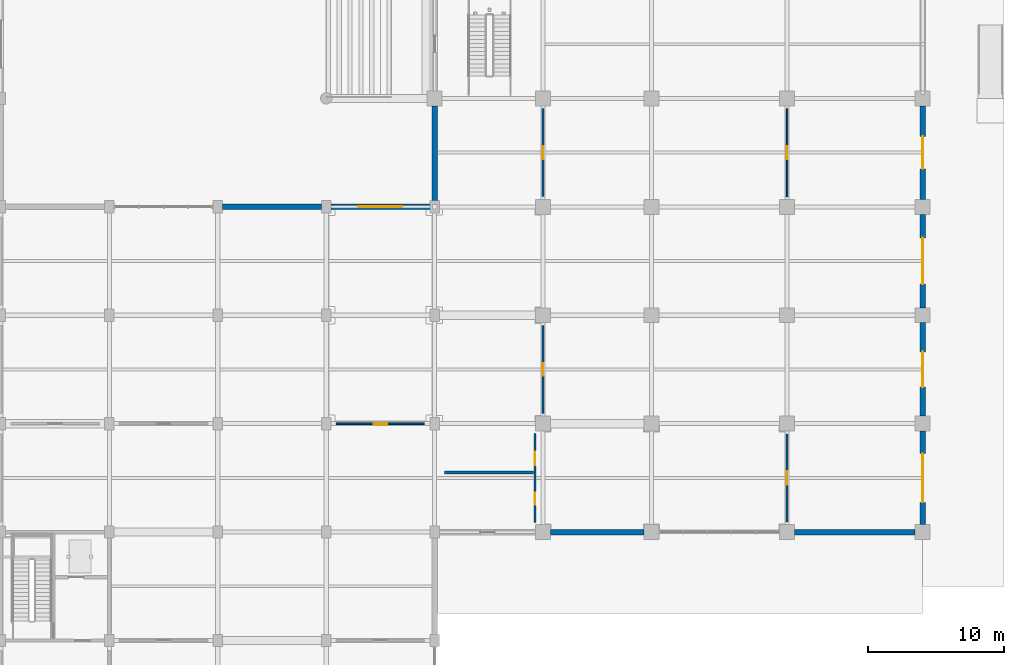
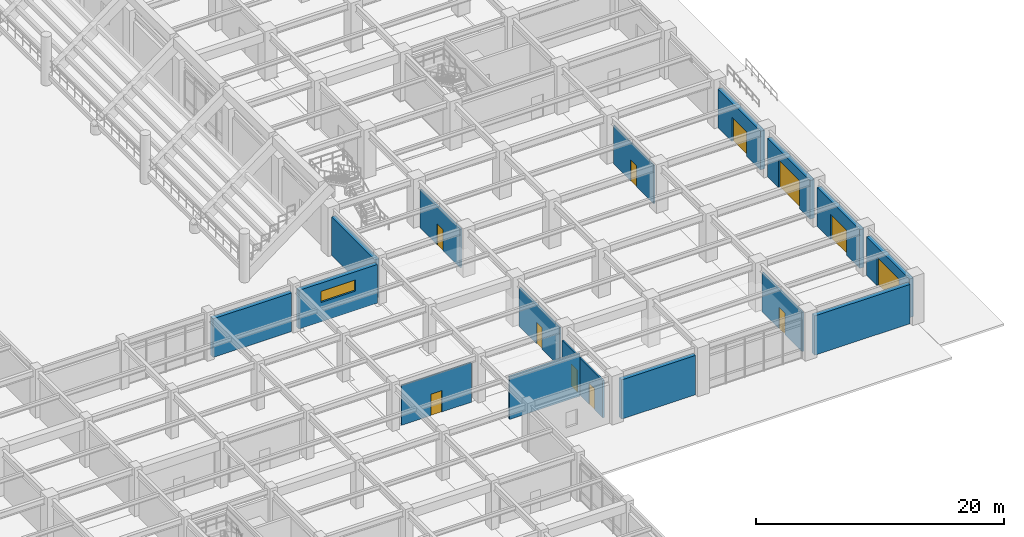
# One storey, part 83 of 125: 16 walls, 11 doors, 1 window, 12 openings.
"""IFC4 building model written with IfcOpenShell, lengths in metres."""

from ifc_helpers import new_model, si_unit, direction, frame, frame_2d, origin, place, context, subcontext, project, spatial, rectangle, extrude, material, layer, layer_set, type_object, element, fill, save


model = new_model("IFC4")

# Units and contexts
model_context = context("Model", 3, precision=1e-05, world=origin(), true_north=direction((0.0, 1.0)))
body_context = subcontext(model_context, "Body", "Model", "MODEL_VIEW")
ifc_project = project(units=[si_unit("LENGTHUNIT", "METRE"), si_unit("AREAUNIT", "SQUARE_METRE"), si_unit("VOLUMEUNIT", "CUBIC_METRE"), si_unit("PLANEANGLEUNIT", "RADIAN"), si_unit("MASSUNIT", "GRAM", prefix="KILO")], contexts=[model_context])

# Site, building, storey
site_placement = place(None, origin())
site = spatial("IfcSite", under=ifc_project, at=site_placement, CompositionType="ELEMENT")
building_placement = place(site_placement, origin())
building = spatial("IfcBuilding", under=site, at=building_placement, Name="Haebicheon Civic Stadium", CompositionType="ELEMENT")
storey_placement = place(building_placement, origin())
storey = spatial("IfcBuildingStorey", under=building, at=storey_placement, Name="L01", CompositionType="ELEMENT", Elevation=0.0)

# Wall
ifc_material_1 = material(Name="Concrete C40/50", Category="concrete")
ifc_layer_1 = layer(ifc_material_1, 0.39990234375, Name="Concrete C40/50")
ifc_layer_set_1 = layer_set([ifc_layer_1], Name="Concrete C40/50")
wall_type_1 = type_object("IfcWallType", Name="EW-BM-400", PredefinedType="SOLIDWALL", material=ifc_layer_set_1)
wall_1_placement = place(storey_placement, frame((184.35009765625, 48.0, 0.0), z_axis=(0.0, 0.0, 1.0), x_axis=(1.0, 0.0, 0.0)))
element("IfcWall", 1, at=wall_1_placement, inside=storey, type_object=wall_type_1, material=ifc_layer_set_1, Name="L01 board-marked concrete facade wall 23-06-N", PredefinedType="SOLIDWALL", context=body_context, shape_type="SweptSolid", body=[
    extrude(rectangle(XDim=7.2998046875, YDim=0.39990234375, at=frame_2d((3.64990234375, 0.0))), origin(), (0.0, 0.0, 1.0), 3.81005859375),
])

# Wall, opening, window
wall_2_placement = place(storey_placement, frame((192.35009765625, 48.0, 0.0), z_axis=(0.0, 0.0, 1.0), x_axis=(1.0, 0.0, 0.0)))
wall_2 = element("IfcWall", 2, at=wall_2_placement, inside=storey, type_object=wall_type_1, material=ifc_layer_set_1, Name="L01 board-marked concrete facade wall 24-06-N", PredefinedType="SOLIDWALL", context=body_context, shape_type="SweptSolid", body=[
    extrude(rectangle(XDim=7.2998046875, YDim=0.39990234375, at=frame_2d((3.64990234375, 0.0))), origin(), (0.0, 0.0, 1.0), 3.81005859375),
])
opening_1_placement = place(wall_2_placement, frame((2.050048828125, 0.0, 1.89990234375)))
opening_1 = element("IfcOpeningElement", 3, at=opening_1_placement, cuts=wall_2, Name="Opening WIN-320x110", PredefinedType="OPENING", context=body_context, shape_type="SweptSolid", body=[
    extrude(rectangle(XDim=3.199951171875, YDim=1.10009765625, at=frame_2d((1.60009765625, 0.550048828125))), frame((0.0, 0.2099609375, 0.0), z_axis=(0.0, -1.0, 0.0), x_axis=(1.0, 0.0, 0.0)), (0.0, 0.0, 1.0), 0.419921875),
])
ifc_material_2 = material(Name="Anodised aluminium and laminated glass", Category="aluminium")
window_type = type_object("IfcWindowType", Name="WIN-320x110", PartitioningType="SINGLE_PANEL", PredefinedType="LIGHTDOME", material=ifc_material_2)
window_placement = place(opening_1_placement, origin())
window = element("IfcWindow", 4, at=window_placement, inside=storey, type_object=window_type, material=ifc_material_2, Name="L01 facade window 022", OverallHeight=1.10009765625, OverallWidth=3.199951171875, PartitioningType="SINGLE_PANEL", PredefinedType="LIGHTDOME", context=body_context, shape_type="SweptSolid", body=[
    extrude(rectangle(XDim=3.199951171875, YDim=1.10009765625, at=frame_2d((1.60009765625, 0.550048828125))), frame((0.0, 0.030029296875, 0.0), z_axis=(0.0, -1.0, 0.0), x_axis=(1.0, 0.0, 0.0)), (0.0, 0.0, 1.0), 0.06005859375),
])
fill(opening_1, window)

# Walls
wall_3_placement = place(storey_placement, frame((200.0, 48.449951171875, 0.0), z_axis=(0.0, 0.0, 1.0), x_axis=(0.0, 1.0, 0.0)))
element("IfcWall", 5, at=wall_3_placement, inside=storey, type_object=wall_type_1, material=ifc_layer_set_1, Name="L01 board-marked concrete facade wall 25-06-W", PredefinedType="SOLIDWALL", context=body_context, shape_type="SweptSolid", body=[
    extrude(rectangle(XDim=7.0, YDim=0.39990234375, at=frame_2d((3.5, 0.0))), origin(), (0.0, 0.0, 1.0), 3.81005859375),
])
wall_4_placement = place(storey_placement, frame((208.550048828125, 24.0, 0.0), z_axis=(0.0, 0.0, 1.0), x_axis=(1.0, 0.0, 0.0)))
element("IfcWall", 6, at=wall_4_placement, inside=storey, type_object=wall_type_1, material=ifc_layer_set_1, Name="L01 board-marked concrete facade wall 26-03-S", PredefinedType="SOLIDWALL", context=body_context, shape_type="SweptSolid", body=[
    extrude(rectangle(XDim=6.89990234375, YDim=0.39990234375, at=frame_2d((3.449951171875, 0.0))), origin(), (0.0, 0.0, 1.0), 3.8701171875),
])
wall_5_placement = place(storey_placement, frame((226.550048828125, 24.0, 0.0), z_axis=(0.0, 0.0, 1.0), x_axis=(1.0, 0.0, 0.0)))
element("IfcWall", 7, at=wall_5_placement, inside=storey, type_object=wall_type_1, material=ifc_layer_set_1, Name="L01 board-marked concrete facade wall 28-03-S", PredefinedType="SOLIDWALL", context=body_context, shape_type="SweptSolid", body=[
    extrude(rectangle(XDim=8.89990234375, YDim=0.39990234375, at=frame_2d((4.449951171875, 0.0))), origin(), (0.0, 0.0, 1.0), 3.8701171875),
])

# Wall, opening, door
wall_6_placement = place(storey_placement, frame((236.0, 24.550048828125, 0.0), z_axis=(0.0, 0.0, 1.0), x_axis=(0.0, 1.0, 0.0)))
wall_6 = element("IfcWall", 8, at=wall_6_placement, inside=storey, type_object=wall_type_1, material=ifc_layer_set_1, Name="L01 board-marked concrete facade wall 29-03-E", PredefinedType="SOLIDWALL", context=body_context, shape_type="SweptSolid", body=[
    extrude(rectangle(XDim=6.89990234375, YDim=0.39990234375, at=frame_2d((3.449951171875, 0.0))), origin(), (0.0, 0.0, 1.0), 3.81005859375),
])
opening_2_placement = place(wall_6_placement, frame((1.64990234375, 0.0, 0.0)))
opening_2 = element("IfcOpeningElement", 9, at=opening_2_placement, cuts=wall_6, Name="Opening E12", PredefinedType="OPENING", context=body_context, shape_type="SweptSolid", body=[
    extrude(rectangle(XDim=3.60009765625, YDim=2.800048828125, at=frame_2d((1.800048828125, 1.39990234375))), frame((0.0, 0.2099609375, 0.0), z_axis=(0.0, -1.0, 0.0), x_axis=(1.0, 0.0, 0.0)), (0.0, 0.0, 1.0), 0.419921875),
])
ifc_material_3 = material(Name="Anodised aluminium and laminated glass", Category="aluminium")
door_type_1 = type_object("IfcDoorType", Name="ED-MAIN-3600", OperationType="NOTDEFINED", PredefinedType="DOOR", material=ifc_material_3)
door_1_placement = place(opening_2_placement, origin())
door_1 = element("IfcDoor", 10, at=door_1_placement, inside=storey, type_object=door_type_1, material=ifc_material_3, Name="Main entrance E12", OperationType="DOUBLE_SWING_LEFT", OverallHeight=2.800048828125, OverallWidth=3.60009765625, PredefinedType="DOOR", context=body_context, shape_type="SweptSolid", body=[
    extrude(rectangle(XDim=3.60009765625, YDim=2.800048828125, at=frame_2d((1.800048828125, 1.39990234375))), frame((0.0, 0.02490234375, 0.0), z_axis=(0.0, -1.0, 0.0), x_axis=(1.0, 0.0, 0.0)), (0.0, 0.0, 1.0), 0.050048828125),
])
fill(opening_2, door_1)

wall_7_placement = place(storey_placement, frame((236.0, 32.550048828125, 0.0), z_axis=(0.0, 0.0, 1.0), x_axis=(0.0, 1.0, 0.0)))
wall_7 = element("IfcWall", 11, at=wall_7_placement, inside=storey, type_object=wall_type_1, material=ifc_layer_set_1, Name="L01 board-marked concrete facade wall 29-04-E", PredefinedType="SOLIDWALL", context=body_context, shape_type="SweptSolid", body=[
    extrude(rectangle(XDim=6.89990234375, YDim=0.39990234375, at=frame_2d((3.449951171875, 0.0))), origin(), (0.0, 0.0, 1.0), 3.81005859375),
])
opening_3_placement = place(wall_7_placement, frame((2.14990234375, 0.0, 0.0)))
opening_3 = element("IfcOpeningElement", 12, at=opening_3_placement, cuts=wall_7, Name="Opening G13", PredefinedType="OPENING", context=body_context, shape_type="SweptSolid", body=[
    extrude(rectangle(XDim=2.60009765625, YDim=2.5, at=frame_2d((1.300048828125, 1.25))), frame((0.0, 0.2099609375, 0.0), z_axis=(0.0, -1.0, 0.0), x_axis=(1.0, 0.0, 0.0)), (0.0, 0.0, 1.0), 0.419921875),
])
ifc_material_4 = material(Name="Anodised aluminium 6063-T6", Category="aluminium")
door_type_2 = type_object("IfcDoorType", Name="ED-GATE-2600", OperationType="NOTDEFINED", PredefinedType="DOOR", material=ifc_material_4)
door_2_placement = place(opening_3_placement, origin())
door_2 = element("IfcDoor", 13, at=door_2_placement, inside=storey, type_object=door_type_2, material=ifc_material_4, Name="Pedestrian exit gate G13", OperationType="DOUBLE_SWING_LEFT", OverallHeight=2.5, OverallWidth=2.60009765625, PredefinedType="DOOR", context=body_context, shape_type="SweptSolid", body=[
    extrude(rectangle(XDim=2.60009765625, YDim=2.5, at=frame_2d((1.300048828125, 1.25))), frame((0.0, 0.02490234375, 0.0), z_axis=(0.0, -1.0, 0.0), x_axis=(1.0, 0.0, 0.0)), (0.0, 0.0, 1.0), 0.050048828125),
])
fill(opening_3, door_2)

wall_8_placement = place(storey_placement, frame((236.0, 40.550048828125, 0.0), z_axis=(0.0, 0.0, 1.0), x_axis=(0.0, 1.0, 0.0)))
wall_8 = element("IfcWall", 14, at=wall_8_placement, inside=storey, type_object=wall_type_1, material=ifc_layer_set_1, Name="L01 board-marked concrete facade wall 29-05-E", PredefinedType="SOLIDWALL", context=body_context, shape_type="SweptSolid", body=[
    extrude(rectangle(XDim=6.89990234375, YDim=0.39990234375, at=frame_2d((3.449951171875, 0.0))), origin(), (0.0, 0.0, 1.0), 3.81005859375),
])
opening_4_placement = place(wall_8_placement, frame((1.75, 0.0, 0.0)))
opening_4 = element("IfcOpeningElement", 15, at=opening_4_placement, cuts=wall_8, Name="Opening E13", PredefinedType="OPENING", context=body_context, shape_type="SweptSolid", body=[
    extrude(rectangle(XDim=3.39990234375, YDim=2.75, at=frame_2d((1.699951171875, 1.375))), frame((0.0, 0.2099609375, 0.0), z_axis=(0.0, -1.0, 0.0), x_axis=(1.0, 0.0, 0.0)), (0.0, 0.0, 1.0), 0.419921875),
])
ifc_material_5 = material(Name="Anodised aluminium and laminated glass", Category="aluminium")
door_type_3 = type_object("IfcDoorType", Name="ED-MAIN-3400", OperationType="NOTDEFINED", PredefinedType="DOOR", material=ifc_material_5)
door_3_placement = place(opening_4_placement, origin())
door_3 = element("IfcDoor", 16, at=door_3_placement, inside=storey, type_object=door_type_3, material=ifc_material_5, Name="Main entrance E13", OperationType="DOUBLE_SWING_LEFT", OverallHeight=2.75, OverallWidth=3.39990234375, PredefinedType="DOOR", context=body_context, shape_type="SweptSolid", body=[
    extrude(rectangle(XDim=3.39990234375, YDim=2.75, at=frame_2d((1.699951171875, 1.375))), frame((0.0, 0.02490234375, 0.0), z_axis=(0.0, -1.0, 0.0), x_axis=(1.0, 0.0, 0.0)), (0.0, 0.0, 1.0), 0.050048828125),
])
fill(opening_4, door_3)

wall_9_placement = place(storey_placement, frame((236.0, 48.550048828125, 0.0), z_axis=(0.0, 0.0, 1.0), x_axis=(0.0, 1.0, 0.0)))
wall_9 = element("IfcWall", 17, at=wall_9_placement, inside=storey, type_object=wall_type_1, material=ifc_layer_set_1, Name="L01 board-marked concrete facade wall 29-06-E", PredefinedType="SOLIDWALL", context=body_context, shape_type="SweptSolid", body=[
    extrude(rectangle(XDim=6.89990234375, YDim=0.39990234375, at=frame_2d((3.449951171875, 0.0))), origin(), (0.0, 0.0, 1.0), 3.81005859375),
])
opening_5_placement = place(wall_9_placement, frame((2.25, 0.0, 0.0)))
opening_5 = element("IfcOpeningElement", 18, at=opening_5_placement, cuts=wall_9, Name="Opening G14", PredefinedType="OPENING", context=body_context, shape_type="SweptSolid", body=[
    extrude(rectangle(XDim=2.39990234375, YDim=2.39990234375, at=frame_2d((1.199951171875, 1.199951171875))), frame((0.0, 0.2099609375, 0.0), z_axis=(0.0, -1.0, 0.0), x_axis=(1.0, 0.0, 0.0)), (0.0, 0.0, 1.0), 0.419921875),
])
ifc_material_6 = material(Name="Anodised aluminium 6063-T6", Category="aluminium")
door_type_4 = type_object("IfcDoorType", Name="ED-GATE-2400", OperationType="NOTDEFINED", PredefinedType="DOOR", material=ifc_material_6)
door_4_placement = place(opening_5_placement, origin())
door_4 = element("IfcDoor", 19, at=door_4_placement, inside=storey, type_object=door_type_4, material=ifc_material_6, Name="Pedestrian exit gate G14", OperationType="DOUBLE_SWING_LEFT", OverallHeight=2.39990234375, OverallWidth=2.39990234375, PredefinedType="DOOR", context=body_context, shape_type="SweptSolid", body=[
    extrude(rectangle(XDim=2.39990234375, YDim=2.39990234375, at=frame_2d((1.199951171875, 1.199951171875))), frame((0.0, 0.02490234375, 0.0), z_axis=(0.0, -1.0, 0.0), x_axis=(1.0, 0.0, 0.0)), (0.0, 0.0, 1.0), 0.050048828125),
])
fill(opening_5, door_4)

# Wall
ifc_material_7 = material(Name="Concrete C35/45", Category="concrete")
ifc_layer_2 = layer(ifc_material_7, 0.219970703125, Name="Concrete C35/45")
ifc_layer_set_2 = layer_set([ifc_layer_2], Name="Concrete C35/45")
wall_type_2 = type_object("IfcWallType", Name="IW-PLB-220", PredefinedType="PLUMBINGWALL", material=ifc_layer_set_2)
wall_10_placement = place(storey_placement, frame((200.719970703125, 28.39990234375, 0.0), z_axis=(0.0, 0.0, 1.0), x_axis=(1.0, 0.0, 0.0)))
element("IfcWall", 20, at=wall_10_placement, inside=storey, type_object=wall_type_2, material=ifc_layer_set_2, Name="L01 sanitary plumbing chase wall 06", PredefinedType="PLUMBINGWALL", context=body_context, shape_type="SweptSolid", body=[
    extrude(rectangle(XDim=6.56005859375, YDim=0.219970703125, at=frame_2d((3.280029296875, 0.0))), origin(), (0.0, 0.0, 1.0), 4.169921875),
])

# Wall, opening, door
ifc_material_8 = material(Name="Anodised aluminium and laminated glass", Category="aluminium")
ifc_layer_3 = layer(ifc_material_8, 0.10009765625, Name="Anodised aluminium and laminated glass")
ifc_layer_set_3 = layer_set([ifc_layer_3], Name="Anodised aluminium and laminated glass")
wall_type_3 = type_object("IfcWallType", Name="IW-PRT-100", PredefinedType="PARTITIONING", material=ifc_layer_set_3)
wall_11_placement = place(storey_placement, frame((226.0, 48.75, 0.0), z_axis=(0.0, 0.0, 1.0), x_axis=(0.0, 1.0, 0.0)))
wall_11 = element("IfcWall", 21, at=wall_11_placement, inside=storey, type_object=wall_type_3, material=ifc_layer_set_3, Name="L01 Community Athletics Reception partition wall", PredefinedType="PARTITIONING", context=body_context, shape_type="SweptSolid", body=[
    extrude(rectangle(XDim=6.5, YDim=0.10009765625, at=frame_2d((3.25, 0.0))), origin(), (0.0, 0.0, 1.0), 3.81005859375),
])
opening_6_placement = place(wall_11_placement, frame((2.77490234375, 0.0, 0.0)))
opening_6 = element("IfcOpeningElement", 22, at=opening_6_placement, cuts=wall_11, Name="Opening D-L01-149", PredefinedType="OPENING", context=body_context, shape_type="SweptSolid", body=[
    extrude(rectangle(XDim=0.949951171875, YDim=2.10009765625, at=frame_2d((0.47509765625, 1.050048828125))), frame((0.0, 0.06005859375, 0.0), z_axis=(0.0, -1.0, 0.0), x_axis=(1.0, 0.0, 0.0)), (0.0, 0.0, 1.0), 0.1201171875),
])
ifc_material_9 = material(Name="Engineered hardwood timber", Category="wood")
door_type_5 = type_object("IfcDoorType", Name="ID-RM-0950", OperationType="NOTDEFINED", PredefinedType="DOOR", material=ifc_material_9)
door_5_placement = place(opening_6_placement, origin())
door_5 = element("IfcDoor", 23, at=door_5_placement, inside=storey, type_object=door_type_5, material=ifc_material_9, Name="L01 Community Athletics Reception entrance door D-L01-149", OperationType="SINGLE_SWING_RIGHT", OverallHeight=2.10009765625, OverallWidth=0.949951171875, PredefinedType="DOOR", context=body_context, shape_type="SweptSolid", body=[
    extrude(rectangle(XDim=0.949951171875, YDim=2.10009765625, at=frame_2d((0.47509765625, 1.050048828125))), frame((0.0, 0.02490234375, 0.0), z_axis=(0.0, -1.0, 0.0), x_axis=(1.0, 0.0, 0.0)), (0.0, 0.0, 1.0), 0.050048828125),
])
fill(opening_6, door_5)

ifc_material_10 = material(Name="Gypsum plasterboard on steel studs", Category="gypsum")
ifc_layer_4 = layer(ifc_material_10, 0.1298828125, Name="Gypsum plasterboard on steel studs")
ifc_layer_set_4 = layer_set([ifc_layer_4], Name="Gypsum plasterboard on steel studs")
wall_type_4 = type_object("IfcWallType", Name="IW-PRT-130", PredefinedType="PARTITIONING", material=ifc_layer_set_4)
wall_12_placement = place(storey_placement, frame((192.75, 32.0, 0.0), z_axis=(0.0, 0.0, 1.0), x_axis=(1.0, 0.0, 0.0)))
wall_12 = element("IfcWall", 24, at=wall_12_placement, inside=storey, type_object=wall_type_4, material=ifc_layer_set_4, Name="L01 Civic Sports Exhibition Gallery partition wall", PredefinedType="PARTITIONING", context=body_context, shape_type="SweptSolid", body=[
    extrude(rectangle(XDim=6.5, YDim=0.1298828125, at=frame_2d((3.25, 0.0))), origin(), (0.0, 0.0, 1.0), 3.909912109375),
])
opening_7_placement = place(wall_12_placement, frame((2.75, 0.0, 0.0)))
opening_7 = element("IfcOpeningElement", 25, at=opening_7_placement, cuts=wall_12, Name="Opening D-L01-164", PredefinedType="OPENING", context=body_context, shape_type="SweptSolid", body=[
    extrude(rectangle(XDim=1.0, YDim=2.10009765625, at=frame_2d((0.5, 1.050048828125))), frame((0.0, 0.074951171875, 0.0), z_axis=(0.0, -1.0, 0.0), x_axis=(1.0, 0.0, 0.0)), (0.0, 0.0, 1.0), 0.14990234375),
])
ifc_material_11 = material(Name="Engineered hardwood timber", Category="wood")
door_type_6 = type_object("IfcDoorType", Name="ID-RM-1000", OperationType="NOTDEFINED", PredefinedType="DOOR", material=ifc_material_11)
door_6_placement = place(opening_7_placement, origin())
door_6 = element("IfcDoor", 26, at=door_6_placement, inside=storey, type_object=door_type_6, material=ifc_material_11, Name="L01 Civic Sports Exhibition Gallery entrance door D-L01-164", OperationType="SINGLE_SWING_LEFT", OverallHeight=2.10009765625, OverallWidth=1.0, PredefinedType="DOOR", context=body_context, shape_type="SweptSolid", body=[
    extrude(rectangle(XDim=1.0, YDim=2.10009765625, at=frame_2d((0.5, 1.050048828125))), frame((0.0, 0.02490234375, 0.0), z_axis=(0.0, -1.0, 0.0), x_axis=(1.0, 0.0, 0.0)), (0.0, 0.0, 1.0), 0.050048828125),
])
fill(opening_7, door_6)

# Wall, openings, doors
ifc_material_12 = material(Name="Gypsum plasterboard on steel studs", Category="gypsum")
ifc_layer_5 = layer(ifc_material_12, 0.14990234375, Name="Gypsum plasterboard on steel studs")
ifc_layer_set_5 = layer_set([ifc_layer_5], Name="Gypsum plasterboard on steel studs")
wall_type_5 = type_object("IfcWallType", Name="IW-PRT-150", PredefinedType="PARTITIONING", material=ifc_layer_set_5)
wall_13_placement = place(storey_placement, frame((207.39990234375, 24.719970703125, 0.0), z_axis=(0.0, 0.0, 1.0), x_axis=(0.0, 1.0, 0.0)))
wall_13 = element("IfcWall", 27, at=wall_13_placement, inside=storey, type_object=wall_type_5, material=ifc_layer_set_5, Name="L01 sanitary enclosure front wall 06", PredefinedType="PARTITIONING", context=body_context, shape_type="SweptSolid", body=[
    extrude(rectangle(XDim=6.56005859375, YDim=0.14990234375, at=frame_2d((3.280029296875, 0.0))), origin(), (0.0, 0.0, 1.0), 3.659912109375),
])
opening_8_placement = place(wall_13_placement, frame((1.300048828125, 0.0, 0.0)))
opening_8 = element("IfcOpeningElement", 28, at=opening_8_placement, cuts=wall_13, Name="Opening D-L01-WC-06A", PredefinedType="OPENING", context=body_context, shape_type="SweptSolid", body=[
    extrude(rectangle(XDim=0.89990234375, YDim=2.10009765625, at=frame_2d((0.449951171875, 1.050048828125))), frame((0.0, 0.0849609375, 0.0), z_axis=(0.0, -1.0, 0.0), x_axis=(1.0, 0.0, 0.0)), (0.0, 0.0, 1.0), 0.169921875),
])
opening_9_placement = place(wall_13_placement, frame((4.199951171875, 0.0, 0.0)))
opening_9 = element("IfcOpeningElement", 29, at=opening_9_placement, cuts=wall_13, Name="Opening D-L01-AWC-06B", PredefinedType="OPENING", context=body_context, shape_type="SweptSolid", body=[
    extrude(rectangle(XDim=1.0, YDim=2.14990234375, at=frame_2d((0.5, 1.074951171875))), frame((0.0, 0.0849609375, 0.0), z_axis=(0.0, -1.0, 0.0), x_axis=(1.0, 0.0, 0.0)), (0.0, 0.0, 1.0), 0.169921875),
])
ifc_material_13 = material(Name="Anodised aluminium 6063-T6", Category="aluminium")
door_type_7 = type_object("IfcDoorType", Name="ID-AWC-1000", OperationType="NOTDEFINED", PredefinedType="DOOR", material=ifc_material_13)
door_7_placement = place(opening_9_placement, origin())
door_7 = element("IfcDoor", 30, at=door_7_placement, inside=storey, type_object=door_type_7, material=ifc_material_13, Name="L01 accessible WC door 06", OperationType="SINGLE_SWING_LEFT", OverallHeight=2.14990234375, OverallWidth=1.0, PredefinedType="DOOR", context=body_context, shape_type="SweptSolid", body=[
    extrude(rectangle(XDim=1.0, YDim=2.14990234375, at=frame_2d((0.5, 1.074951171875))), frame((0.0, 0.02490234375, 0.0), z_axis=(0.0, -1.0, 0.0), x_axis=(1.0, 0.0, 0.0)), (0.0, 0.0, 1.0), 0.050048828125),
])
fill(opening_9, door_7)
ifc_material_14 = material(Name="Anodised aluminium 6063-T6", Category="aluminium")
door_type_8 = type_object("IfcDoorType", Name="ID-WC-0900", OperationType="NOTDEFINED", PredefinedType="DOOR", material=ifc_material_14)
door_8_placement = place(opening_8_placement, origin())
door_8 = element("IfcDoor", 31, at=door_8_placement, inside=storey, type_object=door_type_8, material=ifc_material_14, Name="L01 public restroom door 06", OperationType="SINGLE_SWING_RIGHT", OverallHeight=2.10009765625, OverallWidth=0.89990234375, PredefinedType="DOOR", context=body_context, shape_type="SweptSolid", body=[
    extrude(rectangle(XDim=0.89990234375, YDim=2.10009765625, at=frame_2d((0.449951171875, 1.050048828125))), frame((0.0, 0.02490234375, 0.0), z_axis=(0.0, -1.0, 0.0), x_axis=(1.0, 0.0, 0.0)), (0.0, 0.0, 1.0), 0.050048828125),
])
fill(opening_8, door_8)

# Wall, opening, door
ifc_material_15 = material(Name="Concrete C35/45", Category="concrete")
ifc_layer_6 = layer(ifc_material_15, 0.159912109375, Name="Concrete C35/45")
ifc_layer_set_6 = layer_set([ifc_layer_6], Name="Concrete C35/45")
wall_type_6 = type_object("IfcWallType", Name="IW-PRT-160", PredefinedType="PARTITIONING", material=ifc_layer_set_6)
wall_14_placement = place(storey_placement, frame((208.0, 48.75, 0.0), z_axis=(0.0, 0.0, 1.0), x_axis=(0.0, 1.0, 0.0)))
wall_14 = element("IfcWall", 32, at=wall_14_placement, inside=storey, type_object=wall_type_6, material=ifc_layer_set_6, Name="L01 Sports Medicine Clinic partition wall", PredefinedType="PARTITIONING", context=body_context, shape_type="SweptSolid", body=[
    extrude(rectangle(XDim=6.5, YDim=0.159912109375, at=frame_2d((3.25, 0.0))), origin(), (0.0, 0.0, 1.0), 3.81005859375),
])
opening_10_placement = place(wall_14_placement, frame((2.77490234375, 0.0, 0.0)))
opening_10 = element("IfcOpeningElement", 33, at=opening_10_placement, cuts=wall_14, Name="Opening D-L01-139", PredefinedType="OPENING", context=body_context, shape_type="SweptSolid", body=[
    extrude(rectangle(XDim=0.949951171875, YDim=2.10009765625, at=frame_2d((0.47509765625, 1.050048828125))), frame((0.0, 0.08984375, 0.0), z_axis=(0.0, -1.0, 0.0), x_axis=(1.0, 0.0, 0.0)), (0.0, 0.0, 1.0), 0.179931640625),
])
door_9_placement = place(opening_10_placement, origin())
door_9 = element("IfcDoor", 34, at=door_9_placement, inside=storey, type_object=door_type_5, material=ifc_material_9, Name="L01 Sports Medicine Clinic entrance door D-L01-139", OperationType="SINGLE_SWING_RIGHT", OverallHeight=2.10009765625, OverallWidth=0.949951171875, PredefinedType="DOOR", context=body_context, shape_type="SweptSolid", body=[
    extrude(rectangle(XDim=0.949951171875, YDim=2.10009765625, at=frame_2d((0.47509765625, 1.050048828125))), frame((0.0, 0.02490234375, 0.0), z_axis=(0.0, -1.0, 0.0), x_axis=(1.0, 0.0, 0.0)), (0.0, 0.0, 1.0), 0.050048828125),
])
fill(opening_10, door_9)

wall_15_placement = place(storey_placement, frame((208.0, 32.75, 0.0), z_axis=(0.0, 0.0, 1.0), x_axis=(0.0, 1.0, 0.0)))
wall_15 = element("IfcWall", 35, at=wall_15_placement, inside=storey, type_object=wall_type_6, material=ifc_layer_set_6, Name="L01 Sports Medicine Clinic partition wall", PredefinedType="PARTITIONING", context=body_context, shape_type="SweptSolid", body=[
    extrude(rectangle(XDim=6.5, YDim=0.159912109375, at=frame_2d((3.25, 0.0))), origin(), (0.0, 0.0, 1.0), 3.81005859375),
])
opening_11_placement = place(wall_15_placement, frame((2.77490234375, 0.0, 0.0)))
opening_11 = element("IfcOpeningElement", 36, at=opening_11_placement, cuts=wall_15, Name="Opening D-L01-143", PredefinedType="OPENING", context=body_context, shape_type="SweptSolid", body=[
    extrude(rectangle(XDim=0.949951171875, YDim=2.10009765625, at=frame_2d((0.47509765625, 1.050048828125))), frame((0.0, 0.08984375, 0.0), z_axis=(0.0, -1.0, 0.0), x_axis=(1.0, 0.0, 0.0)), (0.0, 0.0, 1.0), 0.179931640625),
])
door_10_placement = place(opening_11_placement, origin())
door_10 = element("IfcDoor", 37, at=door_10_placement, inside=storey, type_object=door_type_5, material=ifc_material_9, Name="L01 Sports Medicine Clinic entrance door D-L01-143", OperationType="SINGLE_SWING_RIGHT", OverallHeight=2.10009765625, OverallWidth=0.949951171875, PredefinedType="DOOR", context=body_context, shape_type="SweptSolid", body=[
    extrude(rectangle(XDim=0.949951171875, YDim=2.10009765625, at=frame_2d((0.47509765625, 1.050048828125))), frame((0.0, 0.02490234375, 0.0), z_axis=(0.0, -1.0, 0.0), x_axis=(1.0, 0.0, 0.0)), (0.0, 0.0, 1.0), 0.050048828125),
])
fill(opening_11, door_10)

wall_16_placement = place(storey_placement, frame((226.0, 24.75, 0.0), z_axis=(0.0, 0.0, 1.0), x_axis=(0.0, 1.0, 0.0)))
wall_16 = element("IfcWall", 38, at=wall_16_placement, inside=storey, type_object=wall_type_6, material=ifc_layer_set_6, Name="L01 Sports Medicine Clinic partition wall", PredefinedType="PARTITIONING", context=body_context, shape_type="SweptSolid", body=[
    extrude(rectangle(XDim=6.5, YDim=0.159912109375, at=frame_2d((3.25, 0.0))), origin(), (0.0, 0.0, 1.0), 3.8701171875),
])
opening_12_placement = place(wall_16_placement, frame((2.75, 0.0, 0.0)))
opening_12 = element("IfcOpeningElement", 39, at=opening_12_placement, cuts=wall_16, Name="Opening D-L01-148", PredefinedType="OPENING", context=body_context, shape_type="SweptSolid", body=[
    extrude(rectangle(XDim=1.0, YDim=2.10009765625, at=frame_2d((0.5, 1.050048828125))), frame((0.0, 0.08984375, 0.0), z_axis=(0.0, -1.0, 0.0), x_axis=(1.0, 0.0, 0.0)), (0.0, 0.0, 1.0), 0.179931640625),
])
door_11_placement = place(opening_12_placement, origin())
door_11 = element("IfcDoor", 40, at=door_11_placement, inside=storey, type_object=door_type_6, material=ifc_material_11, Name="L01 Sports Medicine Clinic entrance door D-L01-148", OperationType="SINGLE_SWING_LEFT", OverallHeight=2.10009765625, OverallWidth=1.0, PredefinedType="DOOR", context=body_context, shape_type="SweptSolid", body=[
    extrude(rectangle(XDim=1.0, YDim=2.10009765625, at=frame_2d((0.5, 1.050048828125))), frame((0.0, 0.02490234375, 0.0), z_axis=(0.0, -1.0, 0.0), x_axis=(1.0, 0.0, 0.0)), (0.0, 0.0, 1.0), 0.050048828125),
])
fill(opening_12, door_11)

save(model, "model.ifc")
